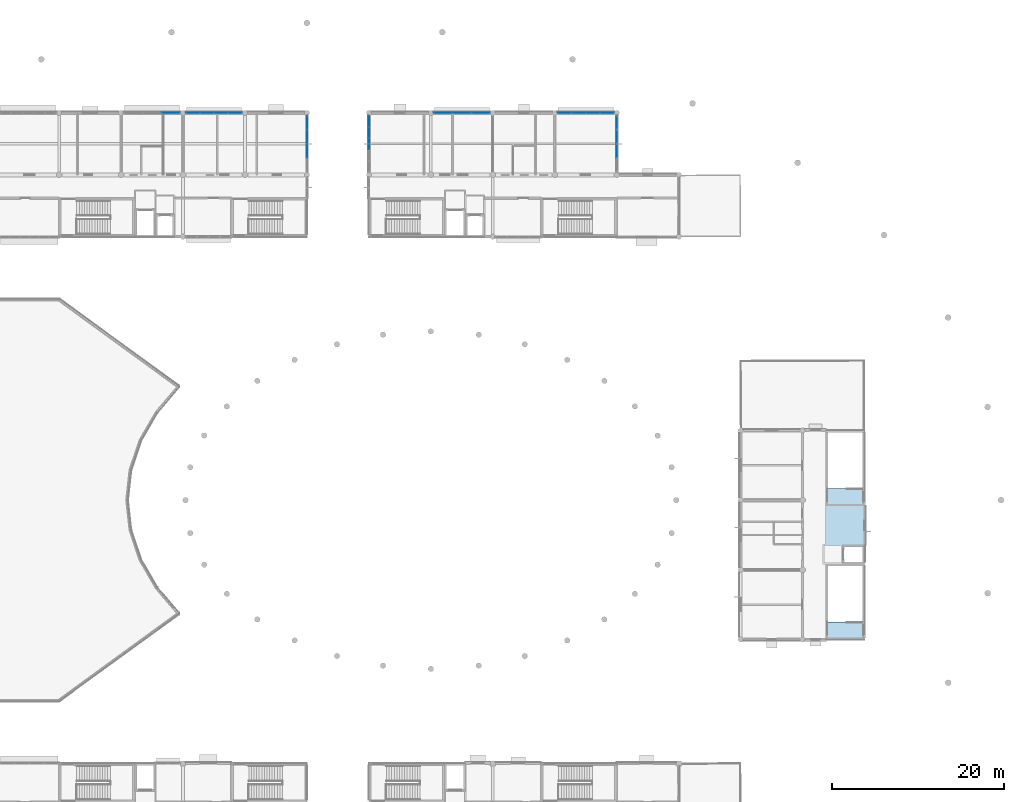
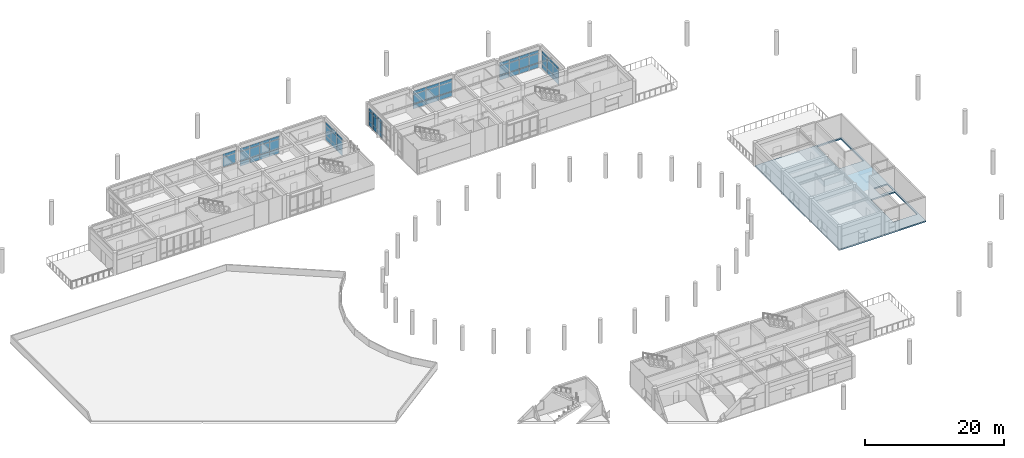
# One storey, part 20 of 55: 62 plates, 1 slab, 7 elements without a shape of their own.
"""IFC4 building model written with IfcOpenShell, lengths in metres."""

from ifc_helpers import new_model, si_unit, direction, frame, origin, origin_2d, place, context, subcontext, project, spatial, polyline, rectangle, outline, extrude, material, layer, layer_set, type_object, element, aggregate, save


model = new_model("IFC4")

# Units and contexts
model_context = context("Model", 3, precision=1e-05, world=origin(), true_north=direction((0.0, 1.0)))
body_context = subcontext(model_context, "Body", "Model", "MODEL_VIEW")
ifc_project = project(units=[si_unit("LENGTHUNIT", "METRE"), si_unit("AREAUNIT", "SQUARE_METRE"), si_unit("VOLUMEUNIT", "CUBIC_METRE"), si_unit("PLANEANGLEUNIT", "RADIAN"), si_unit("MASSUNIT", "GRAM", prefix="KILO")], contexts=[model_context])

# Site, building, storey
site_placement = place(None, origin())
site = spatial("IfcSite", under=ifc_project, at=site_placement, CompositionType="ELEMENT")
building_placement = place(site_placement, origin())
building = spatial("IfcBuilding", under=site, at=building_placement, Name="Namkhue Oval Health Centre", CompositionType="ELEMENT")
storey_placement = place(building_placement, frame((0.0, 0.0, 9.60009765625)))
storey = spatial("IfcBuildingStorey", under=building, at=storey_placement, Name="L02", CompositionType="ELEMENT", Elevation=9.60009765625)

# Curtain wall, plates
ifc_material_1 = material(Name="Anodised aluminium EN AW-6063 T6", Category="aluminium")
ifc_layer_1 = layer(ifc_material_1, 0.159912109375)
ifc_layer_set_1 = layer_set([ifc_layer_1], Name="Anodised aluminium EN AW-6063 T6")
curtain_wall_type_1 = type_object("IfcCurtainWallType", Name="UNITISED CURTAIN WALL M1800", PredefinedType="NOTDEFINED", material=ifc_layer_set_1)
curtain_wall_1_placement = place(storey_placement, origin())
curtain_wall_1 = element("IfcCurtainWall", 1, at=curtain_wall_1_placement, inside=storey, type_object=curtain_wall_type_1, Name="Volume V2 L02 Unitised Curtain Wall 65", PredefinedType="NOTDEFINED")
ifc_material_2 = material(Name="Thermally broken low-E laminated double glazing", Category="glass")
ifc_layer_2 = layer(ifc_material_2, 0.02587890625)
ifc_layer_set_2 = layer_set([ifc_layer_2], Name="Thermally broken low-E laminated double glazing")
plate_type_1 = type_object("IfcPlateType", Name="CURTAIN WALL GLAZED PANEL 26", PredefinedType="CURTAIN_PANEL", material=ifc_layer_set_2)
plate_1_placement = place(storey_placement, frame((78.05126953125, 104.39990234375, 0.06494140625), z_axis=(0.0, 0.0, 1.0), x_axis=(-1.0, 0.0, 0.0)))
plate_1 = element("IfcPlate", 2, at=plate_1_placement, type_object=plate_type_1, Name="CW-05 panel 1.1", PredefinedType="CURTAIN_PANEL", context=body_context, shape_type="SweptSolid", body=[
    extrude(rectangle(XDim=1.547607421875, YDim=0.02587890625, at=origin_2d()), origin(), (0.0, 0.0, 1.0), 0.802490234375),
])
plate_2_placement = place(storey_placement, frame((78.05126953125, 104.39990234375, 0.932373046875), z_axis=(0.0, 0.0, 1.0), x_axis=(-1.0, 0.0, 0.0)))
plate_2 = element("IfcPlate", 3, at=plate_2_placement, type_object=plate_type_1, Name="CW-05 panel 1.2", PredefinedType="CURTAIN_PANEL", context=body_context, shape_type="SweptSolid", body=[
    extrude(rectangle(XDim=1.547607421875, YDim=0.02587890625, at=origin_2d()), origin(), (0.0, 0.0, 1.0), 1.68505859375),
])
plate_3_placement = place(storey_placement, frame((78.05126953125, 104.39990234375, 2.6826171875), z_axis=(0.0, 0.0, 1.0), x_axis=(-1.0, 0.0, 0.0)))
plate_3 = element("IfcPlate", 4, at=plate_3_placement, type_object=plate_type_1, Name="CW-05 panel 1.3", PredefinedType="CURTAIN_PANEL", context=body_context, shape_type="SweptSolid", body=[
    extrude(rectangle(XDim=1.547607421875, YDim=0.02587890625, at=origin_2d()), origin(), (0.0, 0.0, 1.0), 0.552490234375),
])
plate_4_placement = place(storey_placement, frame((76.422607421875, 104.39990234375, 0.06494140625), z_axis=(0.0, 0.0, 1.0), x_axis=(-1.0, 0.0, 0.0)))
plate_4 = element("IfcPlate", 5, at=plate_4_placement, type_object=plate_type_1, Name="CW-05 panel 2.1", PredefinedType="CURTAIN_PANEL", context=body_context, shape_type="SweptSolid", body=[
    extrude(rectangle(XDim=1.580078125, YDim=0.02587890625, at=origin_2d()), origin(), (0.0, 0.0, 1.0), 0.802490234375),
])
plate_5_placement = place(storey_placement, frame((76.422607421875, 104.39990234375, 0.932373046875), z_axis=(0.0, 0.0, 1.0), x_axis=(-1.0, 0.0, 0.0)))
plate_5 = element("IfcPlate", 6, at=plate_5_placement, type_object=plate_type_1, Name="CW-05 panel 2.2", PredefinedType="CURTAIN_PANEL", context=body_context, shape_type="SweptSolid", body=[
    extrude(rectangle(XDim=1.580078125, YDim=0.02587890625, at=origin_2d()), origin(), (0.0, 0.0, 1.0), 1.68505859375),
])
plate_6_placement = place(storey_placement, frame((76.422607421875, 104.39990234375, 2.6826171875), z_axis=(0.0, 0.0, 1.0), x_axis=(-1.0, 0.0, 0.0)))
plate_6 = element("IfcPlate", 7, at=plate_6_placement, type_object=plate_type_1, Name="CW-05 panel 2.3", PredefinedType="CURTAIN_PANEL", context=body_context, shape_type="SweptSolid", body=[
    extrude(rectangle(XDim=1.580078125, YDim=0.02587890625, at=origin_2d()), origin(), (0.0, 0.0, 1.0), 0.552490234375),
])
plate_7_placement = place(storey_placement, frame((74.777587890625, 104.39990234375, 0.06494140625), z_axis=(0.0, 0.0, 1.0), x_axis=(-1.0, 0.0, 0.0)))
plate_7 = element("IfcPlate", 8, at=plate_7_placement, type_object=plate_type_1, Name="CW-05 panel 3.1", PredefinedType="CURTAIN_PANEL", context=body_context, shape_type="SweptSolid", body=[
    extrude(rectangle(XDim=1.580078125, YDim=0.02587890625, at=origin_2d()), origin(), (0.0, 0.0, 1.0), 0.802490234375),
])
plate_8_placement = place(storey_placement, frame((74.777587890625, 104.39990234375, 0.932373046875), z_axis=(0.0, 0.0, 1.0), x_axis=(-1.0, 0.0, 0.0)))
plate_8 = element("IfcPlate", 9, at=plate_8_placement, type_object=plate_type_1, Name="CW-05 panel 3.2", PredefinedType="CURTAIN_PANEL", context=body_context, shape_type="SweptSolid", body=[
    extrude(rectangle(XDim=1.580078125, YDim=0.02587890625, at=origin_2d()), origin(), (0.0, 0.0, 1.0), 1.68505859375),
])
plate_9_placement = place(storey_placement, frame((74.777587890625, 104.39990234375, 2.6826171875), z_axis=(0.0, 0.0, 1.0), x_axis=(-1.0, 0.0, 0.0)))
plate_9 = element("IfcPlate", 10, at=plate_9_placement, type_object=plate_type_1, Name="CW-05 panel 3.3", PredefinedType="CURTAIN_PANEL", context=body_context, shape_type="SweptSolid", body=[
    extrude(rectangle(XDim=1.580078125, YDim=0.02587890625, at=origin_2d()), origin(), (0.0, 0.0, 1.0), 0.552490234375),
])
plate_10_placement = place(storey_placement, frame((73.148681640625, 104.39990234375, 0.06494140625), z_axis=(0.0, 0.0, 1.0), x_axis=(-1.0, 0.0, 0.0)))
plate_10 = element("IfcPlate", 11, at=plate_10_placement, type_object=plate_type_1, Name="CW-05 panel 4.1", PredefinedType="CURTAIN_PANEL", context=body_context, shape_type="SweptSolid", body=[
    extrude(rectangle(XDim=1.547607421875, YDim=0.02587890625, at=origin_2d()), origin(), (0.0, 0.0, 1.0), 0.802490234375),
])
plate_11_placement = place(storey_placement, frame((73.148681640625, 104.39990234375, 0.932373046875), z_axis=(0.0, 0.0, 1.0), x_axis=(-1.0, 0.0, 0.0)))
plate_11 = element("IfcPlate", 12, at=plate_11_placement, type_object=plate_type_1, Name="CW-05 panel 4.2", PredefinedType="CURTAIN_PANEL", context=body_context, shape_type="SweptSolid", body=[
    extrude(rectangle(XDim=1.547607421875, YDim=0.02587890625, at=origin_2d()), origin(), (0.0, 0.0, 1.0), 1.68505859375),
])
plate_12_placement = place(storey_placement, frame((73.148681640625, 104.39990234375, 2.6826171875), z_axis=(0.0, 0.0, 1.0), x_axis=(-1.0, 0.0, 0.0)))
plate_12 = element("IfcPlate", 13, at=plate_12_placement, type_object=plate_type_1, Name="CW-05 panel 4.3", PredefinedType="CURTAIN_PANEL", context=body_context, shape_type="SweptSolid", body=[
    extrude(rectangle(XDim=1.547607421875, YDim=0.02587890625, at=origin_2d()), origin(), (0.0, 0.0, 1.0), 0.552490234375),
])
aggregate(curtain_wall_1, [plate_1, plate_2, plate_3, plate_4, plate_5, plate_6, plate_7, plate_8, plate_9, plate_10, plate_11, plate_12])

curtain_wall_2_placement = place(storey_placement, origin())
curtain_wall_2 = element("IfcCurtainWall", 14, at=curtain_wall_2_placement, inside=storey, type_object=curtain_wall_type_1, Name="Volume V3 L02 Unitised Curtain Wall 113", PredefinedType="NOTDEFINED")
plate_13_placement = place(storey_placement, frame((121.251220703125, 104.39990234375, 0.06494140625), z_axis=(0.0, 0.0, 1.0), x_axis=(-1.0, 0.0, 0.0)))
plate_13 = element("IfcPlate", 15, at=plate_13_placement, type_object=plate_type_1, Name="CW-05 panel 1.1", PredefinedType="CURTAIN_PANEL", context=body_context, shape_type="SweptSolid", body=[
    extrude(rectangle(XDim=1.547607421875, YDim=0.02587890625, at=origin_2d()), origin(), (0.0, 0.0, 1.0), 0.802490234375),
])
plate_14_placement = place(storey_placement, frame((121.251220703125, 104.39990234375, 0.9326171875), z_axis=(0.0, 0.0, 1.0), x_axis=(-1.0, 0.0, 0.0)))
plate_14 = element("IfcPlate", 16, at=plate_14_placement, type_object=plate_type_1, Name="CW-05 panel 1.2", PredefinedType="CURTAIN_PANEL", context=body_context, shape_type="SweptSolid", body=[
    extrude(rectangle(XDim=1.547607421875, YDim=0.02587890625, at=origin_2d()), origin(), (0.0, 0.0, 1.0), 1.659912109375),
])
plate_15_placement = place(storey_placement, frame((121.251220703125, 104.39990234375, 2.6572265625), z_axis=(0.0, 0.0, 1.0), x_axis=(-1.0, 0.0, 0.0)))
plate_15 = element("IfcPlate", 17, at=plate_15_placement, type_object=plate_type_1, Name="CW-05 panel 1.3", PredefinedType="CURTAIN_PANEL", context=body_context, shape_type="SweptSolid", body=[
    extrude(rectangle(XDim=1.547607421875, YDim=0.02587890625, at=origin_2d()), origin(), (0.0, 0.0, 1.0), 0.552490234375),
])
plate_16_placement = place(storey_placement, frame((119.62255859375, 104.39990234375, 0.06494140625), z_axis=(0.0, 0.0, 1.0), x_axis=(-1.0, 0.0, 0.0)))
plate_16 = element("IfcPlate", 18, at=plate_16_placement, type_object=plate_type_1, Name="CW-05 panel 2.1", PredefinedType="CURTAIN_PANEL", context=body_context, shape_type="SweptSolid", body=[
    extrude(rectangle(XDim=1.580078125, YDim=0.02587890625, at=origin_2d()), origin(), (0.0, 0.0, 1.0), 0.802490234375),
])
plate_17_placement = place(storey_placement, frame((119.62255859375, 104.39990234375, 0.9326171875), z_axis=(0.0, 0.0, 1.0), x_axis=(-1.0, 0.0, 0.0)))
plate_17 = element("IfcPlate", 19, at=plate_17_placement, type_object=plate_type_1, Name="CW-05 panel 2.2", PredefinedType="CURTAIN_PANEL", context=body_context, shape_type="SweptSolid", body=[
    extrude(rectangle(XDim=1.580078125, YDim=0.02587890625, at=origin_2d()), origin(), (0.0, 0.0, 1.0), 1.659912109375),
])
plate_18_placement = place(storey_placement, frame((119.62255859375, 104.39990234375, 2.6572265625), z_axis=(0.0, 0.0, 1.0), x_axis=(-1.0, 0.0, 0.0)))
plate_18 = element("IfcPlate", 20, at=plate_18_placement, type_object=plate_type_1, Name="CW-05 panel 2.3", PredefinedType="CURTAIN_PANEL", context=body_context, shape_type="SweptSolid", body=[
    extrude(rectangle(XDim=1.580078125, YDim=0.02587890625, at=origin_2d()), origin(), (0.0, 0.0, 1.0), 0.552490234375),
])
plate_19_placement = place(storey_placement, frame((117.9775390625, 104.39990234375, 0.06494140625), z_axis=(0.0, 0.0, 1.0), x_axis=(-1.0, 0.0, 0.0)))
plate_19 = element("IfcPlate", 21, at=plate_19_placement, type_object=plate_type_1, Name="CW-05 panel 3.1", PredefinedType="CURTAIN_PANEL", context=body_context, shape_type="SweptSolid", body=[
    extrude(rectangle(XDim=1.580078125, YDim=0.02587890625, at=origin_2d()), origin(), (0.0, 0.0, 1.0), 0.802490234375),
])
plate_20_placement = place(storey_placement, frame((117.9775390625, 104.39990234375, 0.9326171875), z_axis=(0.0, 0.0, 1.0), x_axis=(-1.0, 0.0, 0.0)))
plate_20 = element("IfcPlate", 22, at=plate_20_placement, type_object=plate_type_1, Name="CW-05 panel 3.2", PredefinedType="CURTAIN_PANEL", context=body_context, shape_type="SweptSolid", body=[
    extrude(rectangle(XDim=1.580078125, YDim=0.02587890625, at=origin_2d()), origin(), (0.0, 0.0, 1.0), 1.659912109375),
])
plate_21_placement = place(storey_placement, frame((117.9775390625, 104.39990234375, 2.6572265625), z_axis=(0.0, 0.0, 1.0), x_axis=(-1.0, 0.0, 0.0)))
plate_21 = element("IfcPlate", 23, at=plate_21_placement, type_object=plate_type_1, Name="CW-05 panel 3.3", PredefinedType="CURTAIN_PANEL", context=body_context, shape_type="SweptSolid", body=[
    extrude(rectangle(XDim=1.580078125, YDim=0.02587890625, at=origin_2d()), origin(), (0.0, 0.0, 1.0), 0.552490234375),
])
plate_22_placement = place(storey_placement, frame((116.3486328125, 104.39990234375, 0.06494140625), z_axis=(0.0, 0.0, 1.0), x_axis=(-1.0, 0.0, 0.0)))
plate_22 = element("IfcPlate", 24, at=plate_22_placement, type_object=plate_type_1, Name="CW-05 panel 4.1", PredefinedType="CURTAIN_PANEL", context=body_context, shape_type="SweptSolid", body=[
    extrude(rectangle(XDim=1.547607421875, YDim=0.02587890625, at=origin_2d()), origin(), (0.0, 0.0, 1.0), 0.802490234375),
])
plate_23_placement = place(storey_placement, frame((116.3486328125, 104.39990234375, 0.9326171875), z_axis=(0.0, 0.0, 1.0), x_axis=(-1.0, 0.0, 0.0)))
plate_23 = element("IfcPlate", 25, at=plate_23_placement, type_object=plate_type_1, Name="CW-05 panel 4.2", PredefinedType="CURTAIN_PANEL", context=body_context, shape_type="SweptSolid", body=[
    extrude(rectangle(XDim=1.547607421875, YDim=0.02587890625, at=origin_2d()), origin(), (0.0, 0.0, 1.0), 1.659912109375),
])
plate_24_placement = place(storey_placement, frame((116.3486328125, 104.39990234375, 2.6572265625), z_axis=(0.0, 0.0, 1.0), x_axis=(-1.0, 0.0, 0.0)))
plate_24 = element("IfcPlate", 26, at=plate_24_placement, type_object=plate_type_1, Name="CW-05 panel 4.3", PredefinedType="CURTAIN_PANEL", context=body_context, shape_type="SweptSolid", body=[
    extrude(rectangle(XDim=1.547607421875, YDim=0.02587890625, at=origin_2d()), origin(), (0.0, 0.0, 1.0), 0.552490234375),
])
aggregate(curtain_wall_2, [plate_13, plate_14, plate_15, plate_16, plate_17, plate_18, plate_19, plate_20, plate_21, plate_22, plate_23, plate_24])

ifc_layer_3 = layer(ifc_material_1, 0.159912109375)
ifc_layer_set_3 = layer_set([ifc_layer_3], Name="Anodised aluminium EN AW-6063 T6")
curtain_wall_type_2 = type_object("IfcCurtainWallType", Name="UNITISED CURTAIN WALL M2000", PredefinedType="NOTDEFINED", material=ifc_layer_set_3)
curtain_wall_3_placement = place(storey_placement, origin())
curtain_wall_3 = element("IfcCurtainWall", 27, at=curtain_wall_3_placement, inside=storey, type_object=curtain_wall_type_2, Name="Volume V2 L02 Unitised Curtain Wall 66", PredefinedType="NOTDEFINED")
ifc_layer_4 = layer(ifc_material_2, 0.028076171875)
ifc_layer_set_4 = layer_set([ifc_layer_4], Name="Thermally broken low-E laminated double glazing")
plate_type_2 = type_object("IfcPlateType", Name="CURTAIN WALL GLAZED PANEL 28", PredefinedType="CURTAIN_PANEL", material=ifc_layer_set_4)
plate_25_placement = place(storey_placement, frame((70.574462890625, 104.39990234375, 0.9375), z_axis=(0.0, 0.0, 1.0), x_axis=(-1.0, 0.0, 0.0)))
plate_25 = element("IfcPlate", 28, at=plate_25_placement, type_object=plate_type_2, Name="CW-06 panel 1.2", PredefinedType="CURTAIN_PANEL", context=body_context, shape_type="SweptSolid", body=[
    extrude(rectangle(XDim=2.080810546875, YDim=0.028076171875, at=origin_2d()), origin(), (0.0, 0.0, 1.0), 1.675048828125),
])
plate_26_placement = place(storey_placement, frame((70.574462890625, 104.39990234375, 2.687255859375), z_axis=(0.0, 0.0, 1.0), x_axis=(-1.0, 0.0, 0.0)))
plate_26 = element("IfcPlate", 29, at=plate_26_placement, type_object=plate_type_2, Name="CW-06 panel 1.3", PredefinedType="CURTAIN_PANEL", context=body_context, shape_type="SweptSolid", body=[
    extrude(rectangle(XDim=2.080810546875, YDim=0.028076171875, at=origin_2d()), origin(), (0.0, 0.0, 1.0), 0.53759765625),
])
aggregate(curtain_wall_3, [plate_25, plate_26])

curtain_wall_4_placement = place(storey_placement, origin())
curtain_wall_4 = element("IfcCurtainWall", 30, at=curtain_wall_4_placement, inside=storey, type_object=curtain_wall_type_2, Name="Volume V3 L02 Unitised Curtain Wall 114", PredefinedType="NOTDEFINED")
plate_27_placement = place(storey_placement, frame((106.574462890625, 104.39990234375, 0.074951171875), z_axis=(0.0, 0.0, 1.0), x_axis=(-1.0, 0.0, 0.0)))
plate_27 = element("IfcPlate", 31, at=plate_27_placement, type_object=plate_type_2, Name="CW-06 panel 1.1", PredefinedType="CURTAIN_PANEL", context=body_context, shape_type="SweptSolid", body=[
    extrude(rectangle(XDim=2.080810546875, YDim=0.028076171875, at=origin_2d()), origin(), (0.0, 0.0, 1.0), 0.78759765625),
])
plate_28_placement = place(storey_placement, frame((106.574462890625, 104.39990234375, 0.9375), z_axis=(0.0, 0.0, 1.0), x_axis=(-1.0, 0.0, 0.0)))
plate_28 = element("IfcPlate", 32, at=plate_28_placement, type_object=plate_type_2, Name="CW-06 panel 1.2", PredefinedType="CURTAIN_PANEL", context=body_context, shape_type="SweptSolid", body=[
    extrude(rectangle(XDim=2.080810546875, YDim=0.028076171875, at=origin_2d()), origin(), (0.0, 0.0, 1.0), 1.64990234375),
])
plate_29_placement = place(storey_placement, frame((106.574462890625, 104.39990234375, 2.662353515625), z_axis=(0.0, 0.0, 1.0), x_axis=(-1.0, 0.0, 0.0)))
plate_29 = element("IfcPlate", 33, at=plate_29_placement, type_object=plate_type_2, Name="CW-06 panel 1.3", PredefinedType="CURTAIN_PANEL", context=body_context, shape_type="SweptSolid", body=[
    extrude(rectangle(XDim=2.080810546875, YDim=0.028076171875, at=origin_2d()), origin(), (0.0, 0.0, 1.0), 0.53759765625),
])
plate_30_placement = place(storey_placement, frame((104.39990234375, 104.39990234375, 0.074951171875), z_axis=(0.0, 0.0, 1.0), x_axis=(-1.0, 0.0, 0.0)))
plate_30 = element("IfcPlate", 34, at=plate_30_placement, type_object=plate_type_2, Name="CW-06 panel 2.1", PredefinedType="CURTAIN_PANEL", context=body_context, shape_type="SweptSolid", body=[
    extrude(rectangle(XDim=2.118408203125, YDim=0.028076171875, at=origin_2d()), origin(), (0.0, 0.0, 1.0), 0.78759765625),
])
plate_31_placement = place(storey_placement, frame((104.39990234375, 104.39990234375, 0.9375), z_axis=(0.0, 0.0, 1.0), x_axis=(-1.0, 0.0, 0.0)))
plate_31 = element("IfcPlate", 35, at=plate_31_placement, type_object=plate_type_2, Name="CW-06 panel 2.2", PredefinedType="CURTAIN_PANEL", context=body_context, shape_type="SweptSolid", body=[
    extrude(rectangle(XDim=2.118408203125, YDim=0.028076171875, at=origin_2d()), origin(), (0.0, 0.0, 1.0), 1.64990234375),
])
plate_32_placement = place(storey_placement, frame((104.39990234375, 104.39990234375, 2.662353515625), z_axis=(0.0, 0.0, 1.0), x_axis=(-1.0, 0.0, 0.0)))
plate_32 = element("IfcPlate", 36, at=plate_32_placement, type_object=plate_type_2, Name="CW-06 panel 2.3", PredefinedType="CURTAIN_PANEL", context=body_context, shape_type="SweptSolid", body=[
    extrude(rectangle(XDim=2.118408203125, YDim=0.028076171875, at=origin_2d()), origin(), (0.0, 0.0, 1.0), 0.53759765625),
])
plate_33_placement = place(storey_placement, frame((102.225341796875, 104.39990234375, 0.074951171875), z_axis=(0.0, 0.0, 1.0), x_axis=(-1.0, 0.0, 0.0)))
plate_33 = element("IfcPlate", 37, at=plate_33_placement, type_object=plate_type_2, Name="CW-06 panel 3.1", PredefinedType="CURTAIN_PANEL", context=body_context, shape_type="SweptSolid", body=[
    extrude(rectangle(XDim=2.080810546875, YDim=0.028076171875, at=origin_2d()), origin(), (0.0, 0.0, 1.0), 0.78759765625),
])
plate_34_placement = place(storey_placement, frame((102.225341796875, 104.39990234375, 0.9375), z_axis=(0.0, 0.0, 1.0), x_axis=(-1.0, 0.0, 0.0)))
plate_34 = element("IfcPlate", 38, at=plate_34_placement, type_object=plate_type_2, Name="CW-06 panel 3.2", PredefinedType="CURTAIN_PANEL", context=body_context, shape_type="SweptSolid", body=[
    extrude(rectangle(XDim=2.080810546875, YDim=0.028076171875, at=origin_2d()), origin(), (0.0, 0.0, 1.0), 1.64990234375),
])
plate_35_placement = place(storey_placement, frame((102.225341796875, 104.39990234375, 2.662353515625), z_axis=(0.0, 0.0, 1.0), x_axis=(-1.0, 0.0, 0.0)))
plate_35 = element("IfcPlate", 39, at=plate_35_placement, type_object=plate_type_2, Name="CW-06 panel 3.3", PredefinedType="CURTAIN_PANEL", context=body_context, shape_type="SweptSolid", body=[
    extrude(rectangle(XDim=2.080810546875, YDim=0.028076171875, at=origin_2d()), origin(), (0.0, 0.0, 1.0), 0.53759765625),
])
aggregate(curtain_wall_4, [plate_27, plate_28, plate_29, plate_30, plate_31, plate_32, plate_33, plate_34, plate_35])

ifc_layer_5 = layer(ifc_material_1, 0.159912109375)
ifc_layer_set_5 = layer_set([ifc_layer_5], Name="Anodised aluminium EN AW-6063 T6")
curtain_wall_type_3 = type_object("IfcCurtainWallType", Name="UNITISED CURTAIN WALL M1200", PredefinedType="NOTDEFINED", material=ifc_layer_set_5)
curtain_wall_5_placement = place(storey_placement, origin())
curtain_wall_5 = element("IfcCurtainWall", 40, at=curtain_wall_5_placement, inside=storey, type_object=curtain_wall_type_3, Name="Volume V3 L02 Unitised Curtain Wall 115", PredefinedType="NOTDEFINED")
ifc_material_3 = material(Name="Insulated anodised aluminium spandrel panel", Category="aluminium")
ifc_layer_6 = layer(ifc_material_3, 0.031982421875)
ifc_layer_set_6 = layer_set([ifc_layer_6], Name="Insulated anodised aluminium spandrel panel")
plate_type_3 = type_object("IfcPlateType", Name="CURTAIN WALL SPANDREL PANEL 32", PredefinedType="CURTAIN_PANEL", material=ifc_layer_set_6)
plate_36_placement = place(storey_placement, frame((93.60009765625, 103.415771484375, 0.06494140625), z_axis=(0.0, 0.0, 1.0), x_axis=(0.0, -1.0, 0.0)))
plate_36 = element("IfcPlate", 41, at=plate_36_placement, type_object=plate_type_3, Name="CW-01 panel 1.1", PredefinedType="CURTAIN_PANEL", context=body_context, shape_type="SweptSolid", body=[
    extrude(rectangle(XDim=1.218505859375, YDim=0.031982421875, at=origin_2d()), origin(), (0.0, 0.0, 1.0), 0.802490234375),
])
plate_37_placement = place(storey_placement, frame((93.60009765625, 103.415771484375, 0.9326171875), z_axis=(0.0, 0.0, 1.0), x_axis=(0.0, -1.0, 0.0)))
plate_37 = element("IfcPlate", 42, at=plate_37_placement, type_object=plate_type_3, Name="CW-01 panel 1.2", PredefinedType="CURTAIN_PANEL", context=body_context, shape_type="SweptSolid", body=[
    extrude(rectangle(XDim=1.218505859375, YDim=0.031982421875, at=origin_2d()), origin(), (0.0, 0.0, 1.0), 1.659912109375),
])
plate_38_placement = place(storey_placement, frame((93.60009765625, 103.415771484375, 2.6572265625), z_axis=(0.0, 0.0, 1.0), x_axis=(0.0, -1.0, 0.0)))
plate_38 = element("IfcPlate", 43, at=plate_38_placement, type_object=plate_type_3, Name="CW-01 panel 1.3", PredefinedType="CURTAIN_PANEL", context=body_context, shape_type="SweptSolid", body=[
    extrude(rectangle(XDim=1.218505859375, YDim=0.031982421875, at=origin_2d()), origin(), (0.0, 0.0, 1.0), 0.552490234375),
])
plate_39_placement = place(storey_placement, frame((93.60009765625, 102.115966796875, 0.06494140625), z_axis=(0.0, 0.0, 1.0), x_axis=(0.0, -1.0, 0.0)))
plate_39 = element("IfcPlate", 44, at=plate_39_placement, type_object=plate_type_3, Name="CW-01 panel 2.1", PredefinedType="CURTAIN_PANEL", context=body_context, shape_type="SweptSolid", body=[
    extrude(rectangle(XDim=1.2509765625, YDim=0.031982421875, at=origin_2d()), origin(), (0.0, 0.0, 1.0), 0.802490234375),
])
plate_40_placement = place(storey_placement, frame((93.60009765625, 102.115966796875, 0.9326171875), z_axis=(0.0, 0.0, 1.0), x_axis=(0.0, -1.0, 0.0)))
plate_40 = element("IfcPlate", 45, at=plate_40_placement, type_object=plate_type_3, Name="CW-01 panel 2.2", PredefinedType="CURTAIN_PANEL", context=body_context, shape_type="SweptSolid", body=[
    extrude(rectangle(XDim=1.2509765625, YDim=0.031982421875, at=origin_2d()), origin(), (0.0, 0.0, 1.0), 1.659912109375),
])
plate_41_placement = place(storey_placement, frame((93.60009765625, 102.115966796875, 2.6572265625), z_axis=(0.0, 0.0, 1.0), x_axis=(0.0, -1.0, 0.0)))
plate_41 = element("IfcPlate", 46, at=plate_41_placement, type_object=plate_type_3, Name="CW-01 panel 2.3", PredefinedType="CURTAIN_PANEL", context=body_context, shape_type="SweptSolid", body=[
    extrude(rectangle(XDim=1.2509765625, YDim=0.031982421875, at=origin_2d()), origin(), (0.0, 0.0, 1.0), 0.552490234375),
])
plate_42_placement = place(storey_placement, frame((93.60009765625, 100.800048828125, 0.06494140625), z_axis=(0.0, 0.0, 1.0), x_axis=(0.0, -1.0, 0.0)))
plate_42 = element("IfcPlate", 47, at=plate_42_placement, type_object=plate_type_3, Name="CW-01 panel 3.1", PredefinedType="CURTAIN_PANEL", context=body_context, shape_type="SweptSolid", body=[
    extrude(rectangle(XDim=1.2509765625, YDim=0.031982421875, at=origin_2d()), origin(), (0.0, 0.0, 1.0), 0.802490234375),
])
plate_43_placement = place(storey_placement, frame((93.60009765625, 100.800048828125, 0.9326171875), z_axis=(0.0, 0.0, 1.0), x_axis=(0.0, -1.0, 0.0)))
plate_43 = element("IfcPlate", 48, at=plate_43_placement, type_object=plate_type_3, Name="CW-01 panel 3.2", PredefinedType="CURTAIN_PANEL", context=body_context, shape_type="SweptSolid", body=[
    extrude(rectangle(XDim=1.2509765625, YDim=0.031982421875, at=origin_2d()), origin(), (0.0, 0.0, 1.0), 1.659912109375),
])
plate_44_placement = place(storey_placement, frame((93.60009765625, 100.800048828125, 2.6572265625), z_axis=(0.0, 0.0, 1.0), x_axis=(0.0, -1.0, 0.0)))
plate_44 = element("IfcPlate", 49, at=plate_44_placement, type_object=plate_type_3, Name="CW-01 panel 3.3", PredefinedType="CURTAIN_PANEL", context=body_context, shape_type="SweptSolid", body=[
    extrude(rectangle(XDim=1.2509765625, YDim=0.031982421875, at=origin_2d()), origin(), (0.0, 0.0, 1.0), 0.552490234375),
])
aggregate(curtain_wall_5, [plate_36, plate_37, plate_38, plate_39, plate_40, plate_41, plate_42, plate_43, plate_44])

ifc_layer_7 = layer(ifc_material_1, 0.159912109375)
ifc_layer_set_7 = layer_set([ifc_layer_7], Name="Anodised aluminium EN AW-6063 T6")
curtain_wall_type_4 = type_object("IfcCurtainWallType", Name="UNITISED CURTAIN WALL M1600", PredefinedType="NOTDEFINED", material=ifc_layer_set_7)
curtain_wall_6_placement = place(storey_placement, origin())
curtain_wall_6 = element("IfcCurtainWall", 50, at=curtain_wall_6_placement, inside=storey, type_object=curtain_wall_type_4, Name="Volume V2 L02 Unitised Curtain Wall 64", PredefinedType="NOTDEFINED")
ifc_layer_8 = layer(ifc_material_3, 0.035888671875)
ifc_layer_set_8 = layer_set([ifc_layer_8], Name="Insulated anodised aluminium spandrel panel")
plate_type_4 = type_object("IfcPlateType", Name="CURTAIN WALL SPANDREL PANEL 36", PredefinedType="CURTAIN_PANEL", material=ifc_layer_set_8)
plate_45_placement = place(storey_placement, frame((86.39990234375, 99.9775390625, 0.074951171875), z_axis=(0.0, 0.0, 1.0), x_axis=(0.0, 1.0, 0.0)))
plate_45 = element("IfcPlate", 51, at=plate_45_placement, type_object=plate_type_4, Name="CW-04 panel 2.1", PredefinedType="CURTAIN_PANEL", context=body_context, shape_type="SweptSolid", body=[
    extrude(rectangle(XDim=1.570068359375, YDim=0.035888671875, at=origin_2d()), origin(), (0.0, 0.0, 1.0), 0.78759765625),
])
plate_46_placement = place(storey_placement, frame((86.39990234375, 99.9775390625, 0.9375), z_axis=(0.0, 0.0, 1.0), x_axis=(0.0, 1.0, 0.0)))
plate_46 = element("IfcPlate", 52, at=plate_46_placement, type_object=plate_type_4, Name="CW-04 panel 2.2", PredefinedType="CURTAIN_PANEL", context=body_context, shape_type="SweptSolid", body=[
    extrude(rectangle(XDim=1.570068359375, YDim=0.035888671875, at=origin_2d()), origin(), (0.0, 0.0, 1.0), 1.675048828125),
])
plate_47_placement = place(storey_placement, frame((86.39990234375, 99.9775390625, 2.687255859375), z_axis=(0.0, 0.0, 1.0), x_axis=(0.0, 1.0, 0.0)))
plate_47 = element("IfcPlate", 53, at=plate_47_placement, type_object=plate_type_4, Name="CW-04 panel 2.3", PredefinedType="CURTAIN_PANEL", context=body_context, shape_type="SweptSolid", body=[
    extrude(rectangle(XDim=1.570068359375, YDim=0.035888671875, at=origin_2d()), origin(), (0.0, 0.0, 1.0), 0.53759765625),
])
plate_48_placement = place(storey_placement, frame((86.39990234375, 101.62255859375, 0.074951171875), z_axis=(0.0, 0.0, 1.0), x_axis=(0.0, 1.0, 0.0)))
plate_48 = element("IfcPlate", 54, at=plate_48_placement, type_object=plate_type_4, Name="CW-04 panel 3.1", PredefinedType="CURTAIN_PANEL", context=body_context, shape_type="SweptSolid", body=[
    extrude(rectangle(XDim=1.570068359375, YDim=0.035888671875, at=origin_2d()), origin(), (0.0, 0.0, 1.0), 0.78759765625),
])
plate_49_placement = place(storey_placement, frame((86.39990234375, 101.62255859375, 0.9375), z_axis=(0.0, 0.0, 1.0), x_axis=(0.0, 1.0, 0.0)))
plate_49 = element("IfcPlate", 55, at=plate_49_placement, type_object=plate_type_4, Name="CW-04 panel 3.2", PredefinedType="CURTAIN_PANEL", context=body_context, shape_type="SweptSolid", body=[
    extrude(rectangle(XDim=1.570068359375, YDim=0.035888671875, at=origin_2d()), origin(), (0.0, 0.0, 1.0), 1.675048828125),
])
plate_50_placement = place(storey_placement, frame((86.39990234375, 101.62255859375, 2.687255859375), z_axis=(0.0, 0.0, 1.0), x_axis=(0.0, 1.0, 0.0)))
plate_50 = element("IfcPlate", 56, at=plate_50_placement, type_object=plate_type_4, Name="CW-04 panel 3.3", PredefinedType="CURTAIN_PANEL", context=body_context, shape_type="SweptSolid", body=[
    extrude(rectangle(XDim=1.570068359375, YDim=0.035888671875, at=origin_2d()), origin(), (0.0, 0.0, 1.0), 0.53759765625),
])
plate_51_placement = place(storey_placement, frame((86.39990234375, 103.248779296875, 0.074951171875), z_axis=(0.0, 0.0, 1.0), x_axis=(0.0, 1.0, 0.0)))
plate_51 = element("IfcPlate", 57, at=plate_51_placement, type_object=plate_type_4, Name="CW-04 panel 4.1", PredefinedType="CURTAIN_PANEL", context=body_context, shape_type="SweptSolid", body=[
    extrude(rectangle(XDim=1.532470703125, YDim=0.035888671875, at=origin_2d()), origin(), (0.0, 0.0, 1.0), 0.78759765625),
])
plate_52_placement = place(storey_placement, frame((86.39990234375, 103.248779296875, 0.9375), z_axis=(0.0, 0.0, 1.0), x_axis=(0.0, 1.0, 0.0)))
plate_52 = element("IfcPlate", 58, at=plate_52_placement, type_object=plate_type_4, Name="CW-04 panel 4.2", PredefinedType="CURTAIN_PANEL", context=body_context, shape_type="SweptSolid", body=[
    extrude(rectangle(XDim=1.532470703125, YDim=0.035888671875, at=origin_2d()), origin(), (0.0, 0.0, 1.0), 1.675048828125),
])
plate_53_placement = place(storey_placement, frame((86.39990234375, 103.248779296875, 2.687255859375), z_axis=(0.0, 0.0, 1.0), x_axis=(0.0, 1.0, 0.0)))
plate_53 = element("IfcPlate", 59, at=plate_53_placement, type_object=plate_type_4, Name="CW-04 panel 4.3", PredefinedType="CURTAIN_PANEL", context=body_context, shape_type="SweptSolid", body=[
    extrude(rectangle(XDim=1.532470703125, YDim=0.035888671875, at=origin_2d()), origin(), (0.0, 0.0, 1.0), 0.53759765625),
])
aggregate(curtain_wall_6, [plate_45, plate_46, plate_47, plate_48, plate_49, plate_50, plate_51, plate_52, plate_53])

curtain_wall_7_placement = place(storey_placement, origin())
curtain_wall_7 = element("IfcCurtainWall", 60, at=curtain_wall_7_placement, inside=storey, type_object=curtain_wall_type_4, Name="Volume V3 L02 Unitised Curtain Wall 112", PredefinedType="NOTDEFINED")
plate_54_placement = place(storey_placement, frame((122.39990234375, 99.9775390625, 0.074951171875), z_axis=(0.0, 0.0, 1.0), x_axis=(0.0, 1.0, 0.0)))
plate_54 = element("IfcPlate", 61, at=plate_54_placement, type_object=plate_type_4, Name="CW-04 panel 2.1", PredefinedType="CURTAIN_PANEL", context=body_context, shape_type="SweptSolid", body=[
    extrude(rectangle(XDim=1.570068359375, YDim=0.035888671875, at=origin_2d()), origin(), (0.0, 0.0, 1.0), 0.78759765625),
])
plate_55_placement = place(storey_placement, frame((122.39990234375, 99.9775390625, 0.9375), z_axis=(0.0, 0.0, 1.0), x_axis=(0.0, 1.0, 0.0)))
plate_55 = element("IfcPlate", 62, at=plate_55_placement, type_object=plate_type_4, Name="CW-04 panel 2.2", PredefinedType="CURTAIN_PANEL", context=body_context, shape_type="SweptSolid", body=[
    extrude(rectangle(XDim=1.570068359375, YDim=0.035888671875, at=origin_2d()), origin(), (0.0, 0.0, 1.0), 1.64990234375),
])
plate_56_placement = place(storey_placement, frame((122.39990234375, 99.9775390625, 2.662353515625), z_axis=(0.0, 0.0, 1.0), x_axis=(0.0, 1.0, 0.0)))
plate_56 = element("IfcPlate", 63, at=plate_56_placement, type_object=plate_type_4, Name="CW-04 panel 2.3", PredefinedType="CURTAIN_PANEL", context=body_context, shape_type="SweptSolid", body=[
    extrude(rectangle(XDim=1.570068359375, YDim=0.035888671875, at=origin_2d()), origin(), (0.0, 0.0, 1.0), 0.53759765625),
])
plate_57_placement = place(storey_placement, frame((122.39990234375, 101.62255859375, 0.074951171875), z_axis=(0.0, 0.0, 1.0), x_axis=(0.0, 1.0, 0.0)))
plate_57 = element("IfcPlate", 64, at=plate_57_placement, type_object=plate_type_4, Name="CW-04 panel 3.1", PredefinedType="CURTAIN_PANEL", context=body_context, shape_type="SweptSolid", body=[
    extrude(rectangle(XDim=1.570068359375, YDim=0.035888671875, at=origin_2d()), origin(), (0.0, 0.0, 1.0), 0.78759765625),
])
plate_58_placement = place(storey_placement, frame((122.39990234375, 101.62255859375, 0.9375), z_axis=(0.0, 0.0, 1.0), x_axis=(0.0, 1.0, 0.0)))
plate_58 = element("IfcPlate", 65, at=plate_58_placement, type_object=plate_type_4, Name="CW-04 panel 3.2", PredefinedType="CURTAIN_PANEL", context=body_context, shape_type="SweptSolid", body=[
    extrude(rectangle(XDim=1.570068359375, YDim=0.035888671875, at=origin_2d()), origin(), (0.0, 0.0, 1.0), 1.64990234375),
])
plate_59_placement = place(storey_placement, frame((122.39990234375, 101.62255859375, 2.662353515625), z_axis=(0.0, 0.0, 1.0), x_axis=(0.0, 1.0, 0.0)))
plate_59 = element("IfcPlate", 66, at=plate_59_placement, type_object=plate_type_4, Name="CW-04 panel 3.3", PredefinedType="CURTAIN_PANEL", context=body_context, shape_type="SweptSolid", body=[
    extrude(rectangle(XDim=1.570068359375, YDim=0.035888671875, at=origin_2d()), origin(), (0.0, 0.0, 1.0), 0.53759765625),
])
plate_60_placement = place(storey_placement, frame((122.39990234375, 103.248779296875, 0.074951171875), z_axis=(0.0, 0.0, 1.0), x_axis=(0.0, 1.0, 0.0)))
plate_60 = element("IfcPlate", 67, at=plate_60_placement, type_object=plate_type_4, Name="CW-04 panel 4.1", PredefinedType="CURTAIN_PANEL", context=body_context, shape_type="SweptSolid", body=[
    extrude(rectangle(XDim=1.532470703125, YDim=0.035888671875, at=origin_2d()), origin(), (0.0, 0.0, 1.0), 0.78759765625),
])
plate_61_placement = place(storey_placement, frame((122.39990234375, 103.248779296875, 0.9375), z_axis=(0.0, 0.0, 1.0), x_axis=(0.0, 1.0, 0.0)))
plate_61 = element("IfcPlate", 68, at=plate_61_placement, type_object=plate_type_4, Name="CW-04 panel 4.2", PredefinedType="CURTAIN_PANEL", context=body_context, shape_type="SweptSolid", body=[
    extrude(rectangle(XDim=1.532470703125, YDim=0.035888671875, at=origin_2d()), origin(), (0.0, 0.0, 1.0), 1.64990234375),
])
plate_62_placement = place(storey_placement, frame((122.39990234375, 103.248779296875, 2.662353515625), z_axis=(0.0, 0.0, 1.0), x_axis=(0.0, 1.0, 0.0)))
plate_62 = element("IfcPlate", 69, at=plate_62_placement, type_object=plate_type_4, Name="CW-04 panel 4.3", PredefinedType="CURTAIN_PANEL", context=body_context, shape_type="SweptSolid", body=[
    extrude(rectangle(XDim=1.532470703125, YDim=0.035888671875, at=origin_2d()), origin(), (0.0, 0.0, 1.0), 0.53759765625),
])
aggregate(curtain_wall_7, [plate_54, plate_55, plate_56, plate_57, plate_58, plate_59, plate_60, plate_61, plate_62])

# Slab
ifc_material_4 = material(Name="Reinforced concrete C30/37 (TCVN B35)", Category="concrete")
ifc_layer_9 = layer(ifc_material_4, 0.239990234375)
ifc_layer_set_9 = layer_set([ifc_layer_9], Name="Reinforced concrete C30/37 (TCVN B35)")
slab_type = type_object("IfcSlabType", Name="SUSPENDED FLOOR SLAB 240", PredefinedType="FLOOR", material=ifc_layer_set_9)
slab_placement = place(storey_placement, frame((0.0, 0.0, -0.239990234375)))
element("IfcSlab", 70, at=slab_placement, inside=storey, type_object=slab_type, Name="Volume V6 L02 Suspended Floor Slab", PredefinedType="FLOOR", context=body_context, shape_type="SweptSolid", body=[
    extrude(outline(polyline([(136.800048828125, 43.199951171875), (151.199951171875, 43.199951171875), (151.199951171875, 67.5), (136.800048828125, 67.5), (136.800048828125, 43.199951171875)]), holes=[polyline([(146.949951171875, 45.2548828125), (150.949951171875, 45.2548828125), (150.949951171875, 51.75), (146.949951171875, 51.75), (146.949951171875, 45.2548828125)]), polyline([(146.949951171875, 60.7548828125), (150.949951171875, 60.7548828125), (150.949951171875, 67.25), (146.949951171875, 67.25), (146.949951171875, 60.7548828125)]), polyline([(148.800048828125, 52.199951171875), (151.0, 52.199951171875), (151.0, 54.0), (148.800048828125, 54.0), (148.800048828125, 52.199951171875)])]), origin(), (0.0, 0.0, 1.0), 0.239990234375),
])

save(model, "model.ifc")
